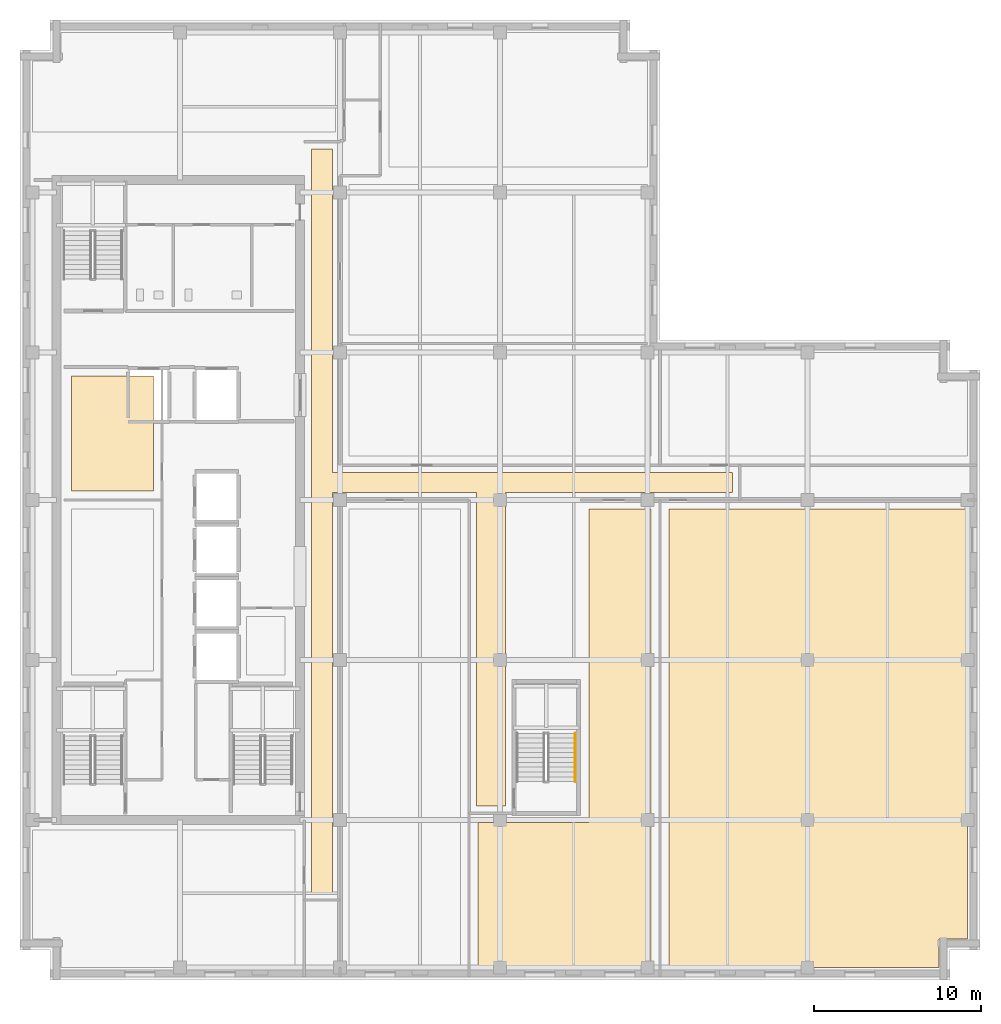
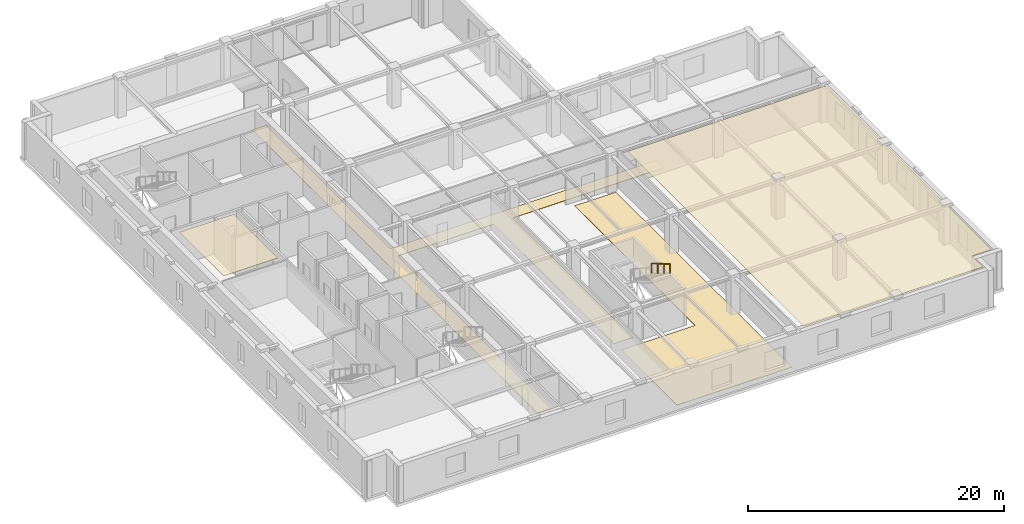
# One storey, part 9 of 12: 4 coverings, 1 railing.
"""IFC4 building model written with IfcOpenShell, lengths in metres."""

import ifcopenshell
import ifcopenshell.guid

model = None  # the IFC model being written
_history = None  # IfcOwnerHistory: only IFC2X3 demands one
_inside = {}  # id of a spatial element -> (the spatial element, [elements in it])
_under = {}  # id of a project, library or spatial element -> (it, [spatial elements below it])
_declared = {}  # id of a project -> (the project, [libraries it declares])
_typed = {}  # id of a type object -> (the type object, [elements of that type])
_made_of = {}  # id of a material, layer set ... -> (it, [elements and type objects made of it])


def new_model(schema):
    """Start an empty IFC model of exactly this schema.

    Asked for "IFC4X3", IfcOpenShell would pick the latest addendum, in which some entities
    have other attributes; the version numbers below select the first issue.
    IFC2X3 requires an IfcOwnerHistory on every rooted entity: one is made here for all.
    """
    global model, _history
    if schema == "IFC4X3":
        model = ifcopenshell.file(schema_version=(4, 3, 0, 0))
    else:
        model = ifcopenshell.file(schema=schema)
    _inside.clear()
    _under.clear()
    _declared.clear()
    _typed.clear()
    _made_of.clear()
    _history = None
    if model.schema == "IFC2X3":
        org = make("IfcOrganization", Name="unknown")
        user = make(
            "IfcPersonAndOrganization",
            ThePerson=make("IfcPerson", FamilyName="unknown"),
            TheOrganization=org,
        )
        app = make(
            "IfcApplication",
            ApplicationDeveloper=org,
            Version="unknown",
            ApplicationFullName="unknown",
            ApplicationIdentifier="unknown",
        )
        _history = make(
            "IfcOwnerHistory",
            OwningUser=user,
            OwningApplication=app,
            ChangeAction="ADDED",
            CreationDate=0,
        )
    return model


def make(cls, **values):
    """One entity of the class cls with the attributes given. An attribute that is None is left unset."""
    return model.create_entity(
        cls, **{name: value for name, value in values.items() if value is not None}
    )


def rooted(cls, **values):
    """An entity with a GlobalId (a new one), such as an element, a storey or a relation."""
    return make(cls, GlobalId=ifcopenshell.guid.new(), OwnerHistory=_history, **values)


def si_unit(unit_type, name, prefix=None):
    """IfcSIUnit, for example si_unit("LENGTHUNIT", "METRE", prefix="MILLI")."""
    return make("IfcSIUnit", UnitType=unit_type, Prefix=prefix, Name=name)


def assignment(units):
    """IfcUnitAssignment: the units of a project."""
    return None if units is None else make("IfcUnitAssignment", Units=units)


def point(xyz):
    """IfcCartesianPoint."""
    return None if xyz is None else make("IfcCartesianPoint", Coordinates=xyz)


def direction(xyz):
    """IfcDirection."""
    return None if xyz is None else make("IfcDirection", DirectionRatios=xyz)


def frame(location, z_axis=None, x_axis=None):
    """IfcAxis2Placement3D, a coordinate frame: its origin and axes. An axis left out is left unset."""
    return make(
        "IfcAxis2Placement3D",
        Location=point(location),
        Axis=direction(z_axis),
        RefDirection=direction(x_axis),
    )


def frame_2d(location, x_axis=None):
    """IfcAxis2Placement2D, a coordinate frame in the plane: its origin and x axis."""
    return make(
        "IfcAxis2Placement2D", Location=point(location), RefDirection=direction(x_axis)
    )


def origin():
    """The frame at (0, 0, 0) with its axes left unset."""
    return frame((0.0, 0.0, 0.0))


def origin_2d():
    """The frame at (0, 0) in the plane with its x axis left unset."""
    return frame_2d((0.0, 0.0))


def place(relative_to, where):
    """IfcLocalPlacement: puts the frame where relative to a parent placement (None: the world)."""
    return make(
        "IfcLocalPlacement", PlacementRelTo=relative_to, RelativePlacement=where
    )


def context(
    kind, dimensions, precision=None, world=None, true_north=None, identifier=None
):
    """IfcGeometricRepresentationContext, for example the 3D "Model" context."""
    return make(
        "IfcGeometricRepresentationContext",
        ContextIdentifier=identifier,
        ContextType=kind,
        CoordinateSpaceDimension=dimensions,
        Precision=precision,
        WorldCoordinateSystem=world,
        TrueNorth=true_north,
    )


def subcontext(parent, identifier, kind, view, scale=None):
    """IfcGeometricRepresentationSubContext, for example "Body" below "Model"."""
    return make(
        "IfcGeometricRepresentationSubContext",
        ContextIdentifier=identifier,
        ContextType=kind,
        ParentContext=parent,
        TargetScale=scale,
        TargetView=view,
    )


def project(units=None, contexts=None):
    """IfcProject with its units and contexts."""
    return rooted(
        "IfcProject",
        Name="project",
        RepresentationContexts=contexts,
        UnitsInContext=assignment(units),
    )


def spatial(cls, under=None, at=None, **own):
    """A site, building, storey or space (cls), placed at a placement, below another one or the project."""
    s = rooted(cls, ObjectPlacement=at, **own)
    if under is not None:
        _under.setdefault(under.id(), (under, []))[1].append(s)
    return s


def polyline(points):
    """IfcPolyline through the points."""
    return make("IfcPolyline", Points=[point(p) for p in points])


def profile(cls, at=None, kind="AREA", **sizes):
    """A parametric profile (cls). Its sizes go by their IFC names, for example OverallWidth=200.0."""
    return make(cls, ProfileType=kind, Position=at, **sizes)


def circle(**sizes):
    """IfcCircleProfileDef."""
    return profile("IfcCircleProfileDef", **sizes)


def outline(outer, holes=None, kind="AREA"):
    """IfcArbitraryClosedProfileDef: a profile drawn as a closed curve; with holes, ...WithVoids."""
    if holes is None:
        return make("IfcArbitraryClosedProfileDef", ProfileType=kind, OuterCurve=outer)
    return make(
        "IfcArbitraryProfileDefWithVoids",
        ProfileType=kind,
        OuterCurve=outer,
        InnerCurves=holes,
    )


def extrude(swept, where, along, depth):
    """IfcExtrudedAreaSolid: the profile swept, set in the frame where, extruded along a direction by depth."""
    return make(
        "IfcExtrudedAreaSolid",
        SweptArea=swept,
        Position=where,
        ExtrudedDirection=direction(along),
        Depth=depth,
    )


def shape(context_of_items, identifier, shape_type, items):
    """IfcShapeRepresentation: the items that make up one representation, for example the "Body"."""
    return make(
        "IfcShapeRepresentation",
        ContextOfItems=context_of_items,
        RepresentationIdentifier=identifier,
        RepresentationType=shape_type,
        Items=items,
    )


def material(Name=None, Category=None):
    """IfcMaterial."""
    return make("IfcMaterial", Name=Name, Category=Category)


def layer(
    of_material, thickness, ventilated=None, Name=None, Category=None, Priority=None
):
    """IfcMaterialLayer: one layer of a wall or slab, of a material (None: an air gap)."""
    return make(
        "IfcMaterialLayer",
        Material=of_material,
        LayerThickness=thickness,
        IsVentilated=ventilated,
        Name=Name,
        Category=Category,
        Priority=Priority,
    )


def layer_set(layers, Name=None):
    """IfcMaterialLayerSet."""
    return make("IfcMaterialLayerSet", MaterialLayers=layers, LayerSetName=Name)


def made_of(thing, what):
    """Note that an element or type object is made of a material, layer set ...; save() writes the relation."""
    if what is not None:
        _made_of.setdefault(what.id(), (what, []))[1].append(thing)
    return thing


def type_object(cls, material=None, **own):
    """A type object (cls), such as IfcWallType, which elements share."""
    return made_of(rooted(cls, **own), material)


def element(
    cls,
    number,
    at=None,
    inside=None,
    cuts=None,
    type_object=None,
    material=None,
    context=None,
    identifier="Body",
    shape_type=None,
    held_by="IfcProductDefinitionShape",
    body=None,
    shapes=None,
    **own,
):
    """One element of the class cls, such as IfcWall. Its Tag is "e" and its number.

    at: its placement. inside: the storey or other place that contains it. cuts: it is an
    opening in that element (IfcRelVoidsElement). A single representation is given by context,
    identifier, shape_type and body (its items); several are given by shapes. held_by: the class
    of the entity that holds the representations. save() writes the other relations.
    """
    e = rooted(cls, Tag="e%d" % number, ObjectPlacement=at, **own)
    if body is not None:
        shapes = [shape(context, identifier, shape_type, body)]
    if shapes is not None:
        e.Representation = make(held_by, Representations=shapes)
    if inside is not None:
        _inside.setdefault(inside.id(), (inside, []))[1].append(e)
    if cuts is not None:
        rooted(
            "IfcRelVoidsElement", RelatingBuildingElement=cuts, RelatedOpeningElement=e
        )
    if type_object is not None:
        _typed.setdefault(type_object.id(), (type_object, []))[1].append(e)
    return made_of(e, material)


def aggregate(whole, parts):
    """IfcRelAggregates: a whole, such as a stair, and the parts it consists of."""
    return rooted("IfcRelAggregates", RelatingObject=whole, RelatedObjects=parts)


def save(model, path):
    """Write the relations noted so far, then the file.

    IfcRelAggregates (storeys below a building ...), IfcRelContainedInSpatialStructure (elements
    in a storey), IfcRelDefinesByType, IfcRelAssociatesMaterial and IfcRelDeclares: one each for
    every whole, place, type object, material and project.
    """
    for whole, parts in _under.values():
        aggregate(whole, parts)
    for where, things in _inside.values():
        rooted(
            "IfcRelContainedInSpatialStructure",
            RelatedElements=things,
            RelatingStructure=where,
        )
    for kind, things in _typed.values():
        rooted("IfcRelDefinesByType", RelatedObjects=things, RelatingType=kind)
    for what, things in _made_of.values():
        rooted("IfcRelAssociatesMaterial", RelatedObjects=things, RelatingMaterial=what)
    for by, libraries in _declared.values():
        rooted("IfcRelDeclares", RelatingContext=by, RelatedDefinitions=libraries)
    model.write(path)


model = new_model("IFC4")

# Units and contexts
model_context = context("Model", 3, precision=1e-05, world=origin(), true_north=direction((0.0, 1.0)))
body_context = subcontext(model_context, "Body", "Model", "MODEL_VIEW")
ifc_project = project(units=[si_unit("LENGTHUNIT", "METRE"), si_unit("AREAUNIT", "SQUARE_METRE"), si_unit("VOLUMEUNIT", "CUBIC_METRE"), si_unit("PLANEANGLEUNIT", "RADIAN"), si_unit("MASSUNIT", "GRAM", prefix="KILO")], contexts=[model_context])

# Site, building, storey
site_placement = place(None, origin())
site = spatial("IfcSite", under=ifc_project, at=site_placement, CompositionType="ELEMENT")
building_placement = place(site_placement, origin())
building = spatial("IfcBuilding", under=site, at=building_placement, Name="Norrvale University Quadrangle", CompositionType="ELEMENT")
storey_placement = place(building_placement, frame((0.0, 0.0, 240.800048828125)))
storey = spatial("IfcBuildingStorey", under=building, at=storey_placement, Name="L61", CompositionType="ELEMENT", Elevation=240.800048828125)

# Coverings
ifc_material_1 = material(Name="Perforated Acoustic Mineral Ceiling")
ifc_layer_1 = layer(ifc_material_1, 0.02490234375, Name="Perforated Acoustic Mineral Ceiling")
ifc_layer_set_1 = layer_set([ifc_layer_1], Name="Perforated Acoustic Mineral Ceiling")
covering_type_1 = type_object("IfcCoveringType", Name="Covering Acoustic Ceiling 25", PredefinedType="CEILING", material=ifc_layer_set_1)
covering_1_placement = place(storey_placement, frame((0.0, 0.0, 3.514892578125)))
element("IfcCovering", 1, at=covering_1_placement, inside=storey, type_object=covering_type_1, Name="Acoustic Ceiling RM-L61-REC3", PredefinedType="CEILING", context=body_context, shape_type="SweptSolid", body=[
    extrude(outline(polyline([(3.10009765625, 29.35009765625), (3.10009765625, 36.25), (8.0, 36.25), (8.0, 29.35009765625), (3.10009765625, 29.35009765625)])), origin(), (0.0, 0.0, 1.0), 0.025146484375),
])
covering_2_placement = place(storey_placement, frame((0.0, 0.0, 3.514892578125)))
element("IfcCovering", 2, at=covering_2_placement, inside=storey, type_object=covering_type_1, Name="Acoustic Ceiling RM-L61-SE3", PredefinedType="CEILING", context=body_context, shape_type="SweptSolid", body=[
    extrude(outline(polyline([(38.929931640625, 0.75), (38.929931640625, 28.27001953125), (56.85009765625, 28.27001953125), (56.85009765625, 2.469970703125), (55.1298828125, 2.469970703125), (55.1298828125, 0.75), (38.929931640625, 0.75)])), origin(), (0.0, 0.0, 1.0), 0.025146484375),
])
ifc_material_2 = material(Name="Polished Terrazzo Flooring")
ifc_layer_2 = layer(ifc_material_2, 0.02490234375, Name="Polished Terrazzo Flooring")
ifc_layer_set_2 = layer_set([ifc_layer_2], Name="Polished Terrazzo Flooring")
covering_type_2 = type_object("IfcCoveringType", Name="Covering Terrazzo Floor 30", PredefinedType="FLOORING", material=ifc_layer_set_2)
covering_3_placement = place(storey_placement, origin())
element("IfcCovering", 3, at=covering_3_placement, inside=storey, type_object=covering_type_2, Name="Terrazzo Flooring RM-L61-CORR1", PredefinedType="FLOORING", context=body_context, shape_type="SweptSolid", body=[
    extrude(outline(polyline([(17.5, 5.25), (17.5, 49.85009765625), (18.75, 49.85009765625), (18.75, 30.449951171875), (42.75, 30.449951171875), (42.75, 29.25), (29.1298828125, 29.25), (29.1298828125, 10.449951171875), (27.39990234375, 10.449951171875), (27.39990234375, 29.25), (18.75, 29.25), (18.75, 5.25), (17.5, 5.25)])), origin(), (0.0, 0.0, 1.0), 0.02490234375),
])
covering_4_placement = place(storey_placement, origin())
element("IfcCovering", 4, at=covering_4_placement, inside=storey, type_object=covering_type_2, Name="Terrazzo Flooring RM-L61-SE2", PredefinedType="FLOORING", context=body_context, shape_type="SweptSolid", body=[
    extrude(outline(polyline([(27.47998046875, 9.449951171875), (34.14990234375, 9.449951171875), (34.14990234375, 28.27001953125), (37.8701171875, 28.27001953125), (37.8701171875, 0.75), (27.47998046875, 0.75), (27.47998046875, 9.449951171875)])), origin(), (0.0, 0.0, 1.0), 0.02490234375),
])

# Railing
ifc_material_3 = material(Name="Stainless Steel 316L Handrail", Category="steel")
railing_type = type_object("IfcRailingType", Name="Railing Stair Handrail 920", PredefinedType="HANDRAIL", material=ifc_material_3)
railing_placement = place(storey_placement, frame((33.31005859375, 14.800048828125, 2.07275390625)))
element("IfcRailing", 5, at=railing_placement, inside=storey, type_object=railing_type, Name="Stair Upper Flight Handrail ST-04 L61", PredefinedType="HANDRAIL", context=body_context, shape_type="SweptSolid", body=[
    extrude(circle(Radius=0.02392578125, at=origin_2d()), frame((0.0, 0.0, 0.89599609375), z_axis=(0.0, -0.859160404282, 0.51170636083), x_axis=(1.0, 0.0, 0.0)), (0.0, 0.0, 1.0), 3.37548828125),
    extrude(circle(Radius=0.02099609375, at=origin_2d()), origin(), (0.0, 0.0, 1.0), 0.871826171875),
    extrude(circle(Radius=0.02099609375, at=origin_2d()), frame((0.0, -0.966796875, 0.57568359375)), (0.0, 0.0, 1.0), 0.871826171875),
    extrude(circle(Radius=0.02099609375, at=origin_2d()), frame((0.0, -1.933349609375, 1.151611328125)), (0.0, 0.0, 1.0), 0.871826171875),
    extrude(circle(Radius=0.02099609375, at=origin_2d()), frame((0.0, -2.900146484375, 1.727294921875)), (0.0, 0.0, 1.0), 0.871826171875),
])

save(model, "model.ifc")
